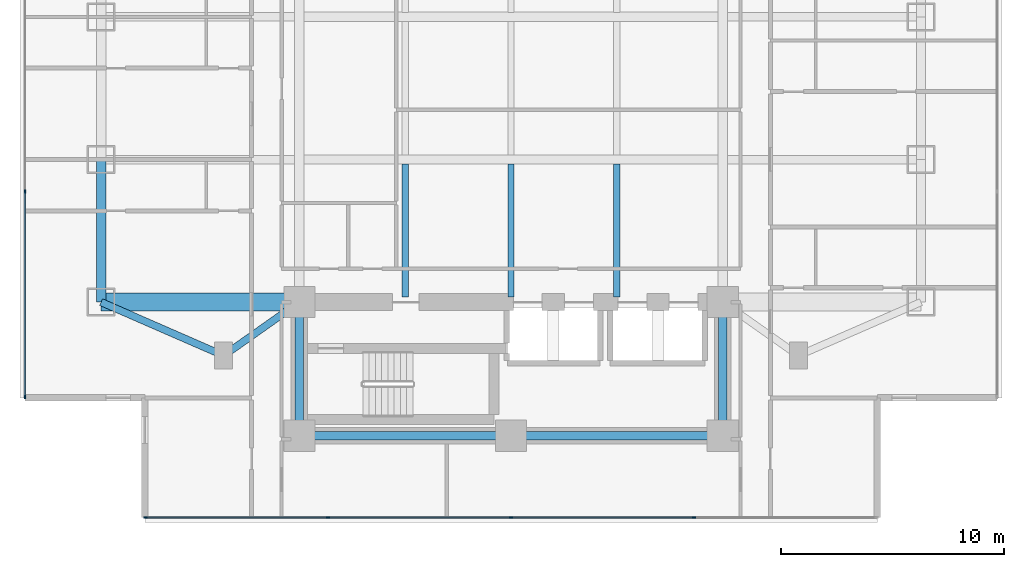
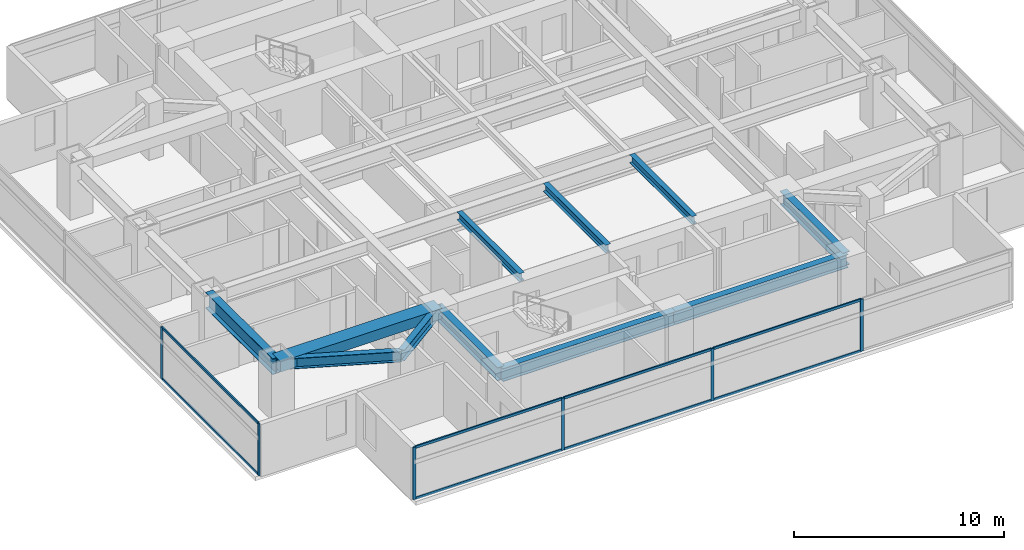
# One storey, part 2 of 25: 14 members, 11 beams, 2 elements without a shape of their own.
"""IFC4 building model written with IfcOpenShell, lengths in metres."""

from ifc_helpers import new_model, si_unit, direction, frame, origin, origin_2d, place, context, subcontext, project, spatial, rectangle, i_section, extrude, material, material_profile, profile_set, type_object, element, aggregate, save


model = new_model("IFC4")

# Units and contexts
model_context = context("Model", 3, precision=1e-05, world=origin(), true_north=direction((0.0, 1.0)))
body_context = subcontext(model_context, "Body", "Model", "MODEL_VIEW")
ifc_project = project(units=[si_unit("LENGTHUNIT", "METRE"), si_unit("AREAUNIT", "SQUARE_METRE"), si_unit("VOLUMEUNIT", "CUBIC_METRE"), si_unit("PLANEANGLEUNIT", "RADIAN"), si_unit("MASSUNIT", "GRAM", prefix="KILO")], contexts=[model_context])

# Site, building, storey
site_placement = place(None, origin())
site = spatial("IfcSite", under=ifc_project, at=site_placement, CompositionType="ELEMENT")
building_placement = place(site_placement, origin())
building = spatial("IfcBuilding", under=site, at=building_placement, Name="Mirazonda Arch Towers", CompositionType="ELEMENT")
storey_placement = place(building_placement, frame((0.0, 0.0, 32.300048828125)))
storey = spatial("IfcBuildingStorey", under=building, at=storey_placement, Name="L08", CompositionType="ELEMENT", Elevation=32.300048828125)

# Beams
ifc_material_1 = material(Name="Steel ASTM A992 Grade 50", Category="steel")
ifc_material_profile_1 = material_profile(ifc_material_1, i_section(OverallWidth=0.41796875, OverallDepth=0.927001953125, WebThickness=0.019287109375, FlangeThickness=0.031982421875, at=origin_2d()), Name="W36X231")
ifc_profile_set_1 = profile_set([ifc_material_profile_1], Name="Steel ASTM A992 Grade 50")
beam_type_1 = type_object("IfcBeamType", Name="BM-EXT-W36X231", PredefinedType="USERDEFINED", material=ifc_profile_set_1)
beam_1_placement = place(storey_placement, frame((2.10009765625, 18.39990234375, 2.596435546875), z_axis=(0.0, 1.0, 0.0), x_axis=(-1.0, 0.0, 0.0)))
element("IfcBeam", 1, at=beam_1_placement, inside=storey, type_object=beam_type_1, Name="L08 Floor Beam BM-T1-L08-NS-W-18", ObjectType="GIRDER", PredefinedType="USERDEFINED", context=body_context, shape_type="SweptSolid", body=[
    extrude(i_section(OverallWidth=0.41796875, OverallDepth=0.927001953125, WebThickness=0.019287109375, FlangeThickness=0.031982421875, at=origin_2d()), origin(), (0.0, 0.0, 1.0), 6.400146484375),
])
ifc_material_profile_2 = material_profile(ifc_material_1, i_section(OverallWidth=0.280029296875, OverallDepth=0.462890625, WebThickness=0.0107421875, FlangeThickness=0.017333984375, at=origin_2d()), Name="W18X76")
ifc_profile_set_2 = profile_set([ifc_material_profile_2], Name="Steel ASTM A992 Grade 50")
beam_type_2 = type_object("IfcBeamType", Name="BM-INT-W18X76", PredefinedType="JOIST", material=ifc_profile_set_2)
for number, where, z_axis, x_axis, name in (
    (2, (15.75, 18.639892578125, 2.828369140625), (0.0, 1.0, 0.0), (-1.0, 0.0, 0.0), "L08 Floor Beam BM-T1-L08-J-157-18"),
    (3, (20.5, 18.639892578125, 2.828369140625), (0.0, 1.0, 0.0), (-1.0, 0.0, 0.0), "L08 Floor Beam BM-T1-L08-J-205-18"),
    (4, (25.25, 18.639892578125, 2.828369140625), (0.0, 1.0, 0.0), (-1.0, 0.0, 0.0), "L08 Floor Beam BM-T1-L08-J-252-18"),
):
    element("IfcBeam", number, at=place(storey_placement, frame(where, z_axis=z_axis, x_axis=x_axis)), inside=storey, type_object=beam_type_2, Name=name, PredefinedType="JOIST", context=body_context, shape_type="SweptSolid", body=[
        extrude(i_section(OverallWidth=0.280029296875, OverallDepth=0.462890625, WebThickness=0.0107421875, FlangeThickness=0.017333984375, at=origin_2d()), origin(), (0.0, 0.0, 1.0), 5.95263671875),
    ])
ifc_material_profile_3 = material_profile(ifc_material_1, i_section(OverallWidth=0.324951171875, OverallDepth=0.615966796875, WebThickness=0.013916015625, FlangeThickness=0.021484375, at=origin_2d()), Name="W24X117")
ifc_profile_set_3 = profile_set([ifc_material_profile_3], Name="Steel ASTM A992 Grade 50")
beam_type_3 = type_object("IfcBeamType", Name="BM-INT-W24X117", PredefinedType="BEAM", material=ifc_profile_set_3)
beam_2_placement = place(storey_placement, frame((7.60009765625, 16.0, 2.751953125), z_axis=(0.816971114901, 0.576678591087, 0.0), x_axis=(-0.576678591087, 0.816971114901, 0.0)))
element("IfcBeam", 5, at=beam_2_placement, inside=storey, type_object=beam_type_3, Name="L08 Floor Beam BM-T1-L08-PL-SW1", PredefinedType="BEAM", context=body_context, shape_type="SweptSolid", body=[
    extrude(i_section(OverallWidth=0.324951171875, OverallDepth=0.615966796875, WebThickness=0.013916015625, FlangeThickness=0.021484375, at=origin_2d()), origin(), (0.0, 0.0, 1.0), 4.16162109375),
])
beam_3_placement = place(storey_placement, frame((7.60009765625, 16.0, 2.751953125), z_axis=(-0.916545343703, 0.399930785183, 0.0), x_axis=(-0.399930785183, -0.916545343703, 0.0)))
element("IfcBeam", 6, at=beam_3_placement, inside=storey, type_object=beam_type_3, Name="L08 Floor Beam BM-T1-L08-PL-SW2", PredefinedType="BEAM", context=body_context, shape_type="SweptSolid", body=[
    extrude(i_section(OverallWidth=0.324951171875, OverallDepth=0.615966796875, WebThickness=0.013916015625, FlangeThickness=0.021484375, at=origin_2d()), origin(), (0.0, 0.0, 1.0), 6.000732421875),
])
ifc_material_profile_4 = material_profile(ifc_material_1, i_section(OverallWidth=0.381103515625, OverallDepth=0.77294921875, WebThickness=0.0166015625, FlangeThickness=0.027099609375, at=origin_2d()), Name="W30X173")
ifc_profile_set_4 = profile_set([ifc_material_profile_4], Name="Steel ASTM A992 Grade 50")
beam_type_4 = type_object("IfcBeamType", Name="BM-INT-W30X173", PredefinedType="USERDEFINED", material=ifc_profile_set_4)
for number, where, z_axis, x_axis, name in (
    (7, (11.0, 12.39990234375, 2.67333984375), (1.0, 0.0, 0.0), (0.0, 1.0, 0.0), "L08 Floor Beam BM-T1-L08-CS1"),
    (8, (20.5, 12.39990234375, 2.67333984375), (1.0, 0.0, 0.0), (0.0, 1.0, 0.0), "L08 Floor Beam BM-T1-L08-CS2"),
):
    element("IfcBeam", number, at=place(storey_placement, frame(where, z_axis=z_axis, x_axis=x_axis)), inside=storey, type_object=beam_type_4, Name=name, ObjectType="GIRDER", PredefinedType="USERDEFINED", context=body_context, shape_type="SweptSolid", body=[
        extrude(i_section(OverallWidth=0.381103515625, OverallDepth=0.77294921875, WebThickness=0.0166015625, FlangeThickness=0.027099609375, at=origin_2d()), origin(), (0.0, 0.0, 1.0), 9.5),
    ])
for number, where, z_axis, x_axis, name in (
    (9, (11.0, 12.39990234375, 2.67333984375), (0.0, 1.0, 0.0), (-1.0, 0.0, 0.0), "L08 Floor Beam BM-T1-L08-CSW"),
    (10, (30.0, 12.39990234375, 2.67333984375), (0.0, 1.0, 0.0), (-1.0, 0.0, 0.0), "L08 Floor Beam BM-T1-L08-CSE"),
):
    element("IfcBeam", number, at=place(storey_placement, frame(where, z_axis=z_axis, x_axis=x_axis)), inside=storey, type_object=beam_type_4, Name=name, ObjectType="GIRDER", PredefinedType="USERDEFINED", context=body_context, shape_type="SweptSolid", body=[
        extrude(i_section(OverallWidth=0.381103515625, OverallDepth=0.77294921875, WebThickness=0.0166015625, FlangeThickness=0.027099609375, at=origin_2d()), origin(), (0.0, 0.0, 1.0), 6.0),
    ])
ifc_material_2 = material(Name="Concrete C60/75", Category="concrete")
ifc_material_profile_5 = material_profile(ifc_material_2, rectangle(XDim=0.800048828125, YDim=0.60009765625, at=origin_2d()), Name="RCCB800x600")
ifc_profile_set_5 = profile_set([ifc_material_profile_5], Name="Concrete C60/75")
beam_type_5 = type_object("IfcBeamType", Name="CB-INT-RCCB800x600", PredefinedType="SPANDREL", material=ifc_profile_set_5)
beam_4_placement = place(storey_placement, frame((2.10009765625, 18.39990234375, 2.760009765625), z_axis=(1.0, 0.0, 0.0), x_axis=(0.0, 1.0, 0.0)))
element("IfcBeam", 11, at=beam_4_placement, inside=storey, type_object=beam_type_5, Name="L08 Floor Beam CBC-T1-L08-SW", PredefinedType="SPANDREL", context=body_context, shape_type="SweptSolid", body=[
    extrude(rectangle(XDim=0.800048828125, YDim=0.60009765625, at=origin_2d()), origin(), (0.0, 0.0, 1.0), 8.89990234375),
])

# Curtain wall, members
ifc_material_3 = material(Name="Anodised Aluminium and Low-E Glass", Category="aluminium")
curtain_wall_type = type_object("IfcCurtainWallType", Name="CW-HTL-UNIT", PredefinedType="NOTDEFINED", material=ifc_material_3)
curtain_wall_1_placement = place(storey_placement, origin())
curtain_wall_1 = element("IfcCurtainWall", 12, at=curtain_wall_1_placement, inside=storey, type_object=curtain_wall_type, Name="L08 T1 S Facade CW-L08-T1-S", PredefinedType="NOTDEFINED")
ifc_material_4 = material(Name="Anodised Aluminium Alloy", Category="aluminium")
ifc_material_profile_6 = material_profile(ifc_material_4, rectangle(XDim=0.074951171875, YDim=0.1650390625, at=origin_2d()), Name="ALU-MULL-75x165")
ifc_profile_set_6 = profile_set([ifc_material_profile_6], Name="Anodised Aluminium Alloy")
member_type_1 = type_object("IfcMemberType", Name="MULL-CW-HTL-UNIT", PredefinedType="MULLION", material=ifc_profile_set_6)
member_1_placement = place(storey_placement, frame((28.719970703125, 8.72607421875, 0.0), z_axis=(0.0, 0.0, 1.0), x_axis=(0.0, -1.0, 0.0)))
member_1 = element("IfcMember", 13, at=member_1_placement, type_object=member_type_1, Name="CW-112 mullion 2", PredefinedType="MULLION", context=body_context, shape_type="SweptSolid", body=[
    extrude(rectangle(XDim=0.074951171875, YDim=0.1650390625, at=origin_2d()), origin(), (0.0, 0.0, 1.0), 3.0400390625),
])
member_2_placement = place(storey_placement, frame((20.5, 8.72607421875, 0.0), z_axis=(0.0, 0.0, 1.0), x_axis=(0.0, -1.0, 0.0)))
member_2 = element("IfcMember", 14, at=member_2_placement, type_object=member_type_1, Name="CW-112 mullion 3", PredefinedType="MULLION", context=body_context, shape_type="SweptSolid", body=[
    extrude(rectangle(XDim=0.074951171875, YDim=0.1650390625, at=origin_2d()), origin(), (0.0, 0.0, 1.0), 3.0400390625),
])
member_3_placement = place(storey_placement, frame((12.280029296875, 8.72607421875, 0.0), z_axis=(0.0, 0.0, 1.0), x_axis=(0.0, -1.0, 0.0)))
member_3 = element("IfcMember", 15, at=member_3_placement, type_object=member_type_1, Name="CW-112 mullion 4", PredefinedType="MULLION", context=body_context, shape_type="SweptSolid", body=[
    extrude(rectangle(XDim=0.074951171875, YDim=0.1650390625, at=origin_2d()), origin(), (0.0, 0.0, 1.0), 3.0400390625),
])
member_4_placement = place(storey_placement, frame((4.097412109375, 8.72607421875, 0.0), z_axis=(0.0, 0.0, 1.0), x_axis=(0.0, -1.0, 0.0)))
member_4 = element("IfcMember", 16, at=member_4_placement, type_object=member_type_1, Name="CW-112 mullion 5", PredefinedType="MULLION", context=body_context, shape_type="SweptSolid", body=[
    extrude(rectangle(XDim=0.074951171875, YDim=0.1650390625, at=origin_2d()), origin(), (0.0, 0.0, 1.0), 3.0400390625),
])

curtain_wall_2_placement = place(storey_placement, origin())
curtain_wall_2 = element("IfcCurtainWall", 17, at=curtain_wall_2_placement, inside=storey, type_object=curtain_wall_type, Name="L08 T1 W Facade CW-L08-T1-W", PredefinedType="NOTDEFINED")
member_5_placement = place(storey_placement, frame((-1.320068359375, 23.36865234375, 0.0), z_axis=(0.0, 0.0, 1.0), x_axis=(1.0, 0.0, 0.0)))
member_5 = element("IfcMember", 18, at=member_5_placement, type_object=member_type_1, Name="CW-112 mullion 3", PredefinedType="MULLION", context=body_context, shape_type="SweptSolid", body=[
    extrude(rectangle(XDim=0.074951171875, YDim=0.1650390625, at=origin_2d()), origin(), (0.0, 0.0, 1.0), 3.0400390625),
])
member_6_placement = place(storey_placement, frame((-1.320068359375, 14.1435546875, 0.0), z_axis=(0.0, 0.0, 1.0), x_axis=(1.0, 0.0, 0.0)))
member_6 = element("IfcMember", 19, at=member_6_placement, type_object=member_type_1, Name="CW-112 mullion 4", PredefinedType="MULLION", context=body_context, shape_type="SweptSolid", body=[
    extrude(rectangle(XDim=0.074951171875, YDim=0.1650390625, at=origin_2d()), origin(), (0.0, 0.0, 1.0), 3.0400390625),
])

# Member
ifc_material_profile_7 = material_profile(ifc_material_4, rectangle(XDim=0.074951171875, YDim=0.14501953125, at=origin_2d()), Name="ALU-TRAN-75x145")
ifc_profile_set_7 = profile_set([ifc_material_profile_7], Name="Anodised Aluminium Alloy")
member_type_2 = type_object("IfcMemberType", Name="TRAN-CW-HTL-UNIT", PredefinedType="USERDEFINED", material=ifc_profile_set_7)
member_7_placement = place(storey_placement, frame((28.6826171875, 8.72607421875, 0.037353515625), z_axis=(-1.0, 0.0, 0.0), x_axis=(0.0, -1.0, 0.0)))
member_7 = element("IfcMember", 20, at=member_7_placement, type_object=member_type_2, Name="CW-112 transom 2.1", ObjectType="TRANSOM", PredefinedType="USERDEFINED", context=body_context, shape_type="SweptSolid", body=[
    extrude(rectangle(XDim=0.074951171875, YDim=0.14501953125, at=origin_2d()), origin(), (0.0, 0.0, 1.0), 8.14501953125),
])

member_8_placement = place(storey_placement, frame((28.6826171875, 8.72607421875, 3.00244140625), z_axis=(-1.0, 0.0, 0.0), x_axis=(0.0, -1.0, 0.0)))
member_8 = element("IfcMember", 21, at=member_8_placement, type_object=member_type_2, Name="CW-112 transom 2.2", ObjectType="TRANSOM", PredefinedType="USERDEFINED", context=body_context, shape_type="SweptSolid", body=[
    extrude(rectangle(XDim=0.074951171875, YDim=0.14501953125, at=origin_2d()), origin(), (0.0, 0.0, 1.0), 8.14501953125),
])

member_9_placement = place(storey_placement, frame((20.46240234375, 8.72607421875, 0.037353515625), z_axis=(-1.0, 0.0, 0.0), x_axis=(0.0, -1.0, 0.0)))
member_9 = element("IfcMember", 22, at=member_9_placement, type_object=member_type_2, Name="CW-112 transom 3.1", ObjectType="TRANSOM", PredefinedType="USERDEFINED", context=body_context, shape_type="SweptSolid", body=[
    extrude(rectangle(XDim=0.074951171875, YDim=0.14501953125, at=origin_2d()), origin(), (0.0, 0.0, 1.0), 8.14501953125),
])

member_10_placement = place(storey_placement, frame((20.46240234375, 8.72607421875, 3.00244140625), z_axis=(-1.0, 0.0, 0.0), x_axis=(0.0, -1.0, 0.0)))
member_10 = element("IfcMember", 23, at=member_10_placement, type_object=member_type_2, Name="CW-112 transom 3.2", ObjectType="TRANSOM", PredefinedType="USERDEFINED", context=body_context, shape_type="SweptSolid", body=[
    extrude(rectangle(XDim=0.074951171875, YDim=0.14501953125, at=origin_2d()), origin(), (0.0, 0.0, 1.0), 8.14501953125),
])

member_11_placement = place(storey_placement, frame((12.242431640625, 8.72607421875, 0.037353515625), z_axis=(-1.0, 0.0, 0.0), x_axis=(0.0, -1.0, 0.0)))
member_11 = element("IfcMember", 24, at=member_11_placement, type_object=member_type_2, Name="CW-112 transom 4.1", ObjectType="TRANSOM", PredefinedType="USERDEFINED", context=body_context, shape_type="SweptSolid", body=[
    extrude(rectangle(XDim=0.074951171875, YDim=0.14501953125, at=origin_2d()), origin(), (0.0, 0.0, 1.0), 8.107421875),
])

member_12_placement = place(storey_placement, frame((12.242431640625, 8.72607421875, 3.00244140625), z_axis=(-1.0, 0.0, 0.0), x_axis=(0.0, -1.0, 0.0)))
member_12 = element("IfcMember", 25, at=member_12_placement, type_object=member_type_2, Name="CW-112 transom 4.2", ObjectType="TRANSOM", PredefinedType="USERDEFINED", context=body_context, shape_type="SweptSolid", body=[
    extrude(rectangle(XDim=0.074951171875, YDim=0.14501953125, at=origin_2d()), origin(), (0.0, 0.0, 1.0), 8.107421875),
])

aggregate(curtain_wall_1, [member_1, member_2, member_3, member_4, member_7, member_8, member_9, member_10, member_11, member_12])

member_13_placement = place(storey_placement, frame((-1.320068359375, 23.3310546875, 0.037353515625), z_axis=(0.0, -1.0, 0.0), x_axis=(1.0, 0.0, 0.0)))
member_13 = element("IfcMember", 26, at=member_13_placement, type_object=member_type_2, Name="CW-112 transom 3.1", ObjectType="TRANSOM", PredefinedType="USERDEFINED", context=body_context, shape_type="SweptSolid", body=[
    extrude(rectangle(XDim=0.074951171875, YDim=0.14501953125, at=origin_2d()), origin(), (0.0, 0.0, 1.0), 9.150146484375),
])

member_14_placement = place(storey_placement, frame((-1.320068359375, 23.3310546875, 3.00244140625), z_axis=(0.0, -1.0, 0.0), x_axis=(1.0, 0.0, 0.0)))
member_14 = element("IfcMember", 27, at=member_14_placement, type_object=member_type_2, Name="CW-112 transom 3.2", ObjectType="TRANSOM", PredefinedType="USERDEFINED", context=body_context, shape_type="SweptSolid", body=[
    extrude(rectangle(XDim=0.074951171875, YDim=0.14501953125, at=origin_2d()), origin(), (0.0, 0.0, 1.0), 9.150146484375),
])

aggregate(curtain_wall_2, [member_5, member_6, member_13, member_14])

save(model, "model.ifc")
